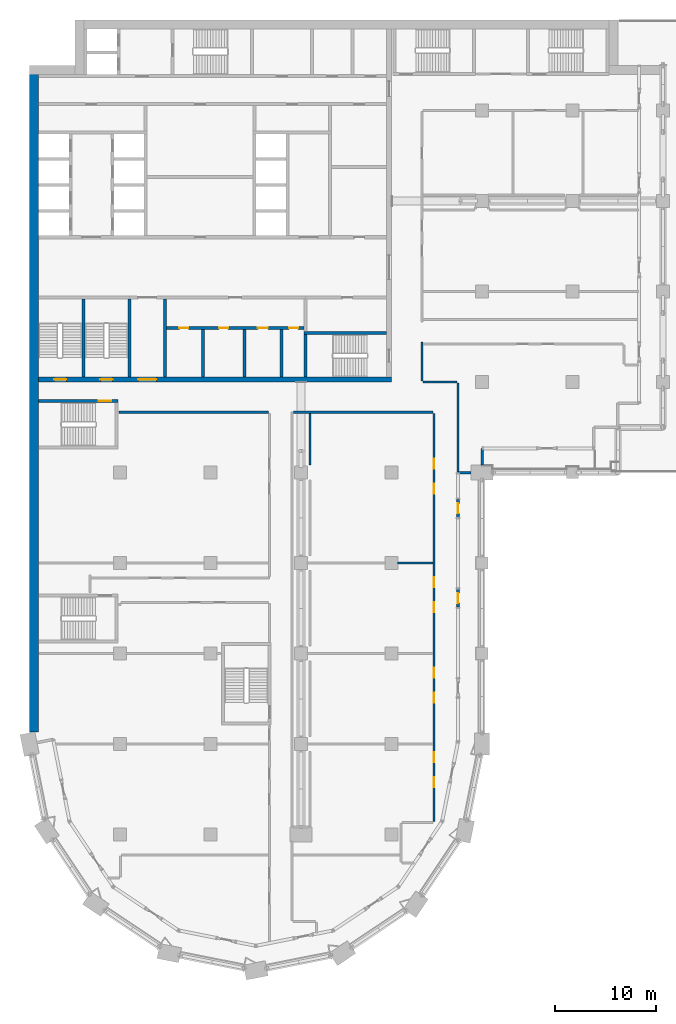
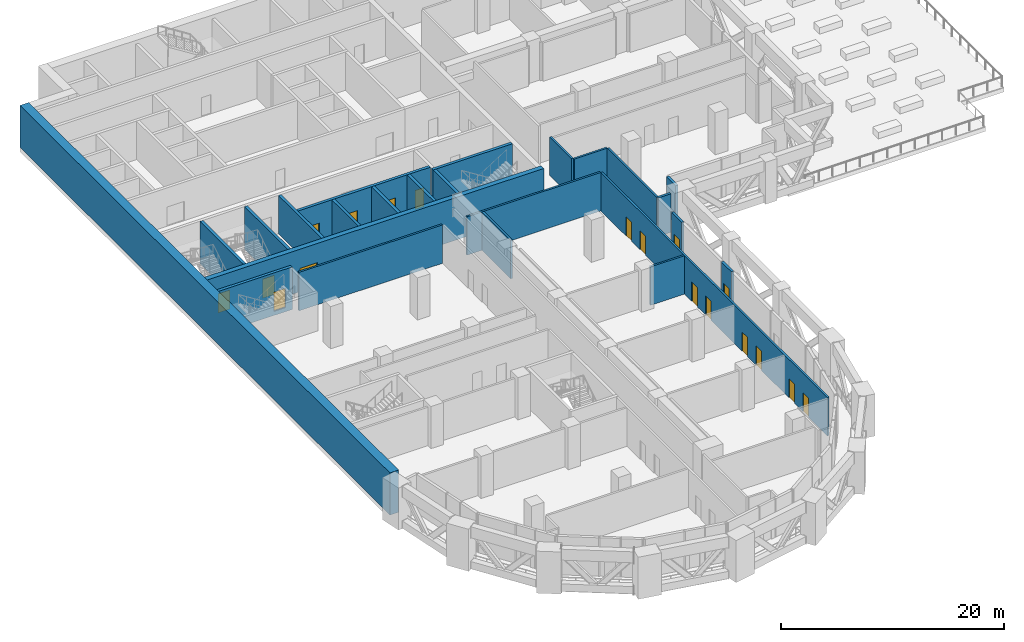
# One storey, part 9 of 22: 24 walls, 18 doors, 18 openings.
"""IFC4 building model written with IfcOpenShell, lengths in metres."""

import ifcopenshell
import ifcopenshell.guid

model = None  # the IFC model being written
_history = None  # IfcOwnerHistory: only IFC2X3 demands one
_inside = {}  # id of a spatial element -> (the spatial element, [elements in it])
_under = {}  # id of a project, library or spatial element -> (it, [spatial elements below it])
_declared = {}  # id of a project -> (the project, [libraries it declares])
_typed = {}  # id of a type object -> (the type object, [elements of that type])
_made_of = {}  # id of a material, layer set ... -> (it, [elements and type objects made of it])


def new_model(schema):
    """Start an empty IFC model of exactly this schema.

    Asked for "IFC4X3", IfcOpenShell would pick the latest addendum, in which some entities
    have other attributes; the version numbers below select the first issue.
    IFC2X3 requires an IfcOwnerHistory on every rooted entity: one is made here for all.
    """
    global model, _history
    if schema == "IFC4X3":
        model = ifcopenshell.file(schema_version=(4, 3, 0, 0))
    else:
        model = ifcopenshell.file(schema=schema)
    _inside.clear()
    _under.clear()
    _declared.clear()
    _typed.clear()
    _made_of.clear()
    _history = None
    if model.schema == "IFC2X3":
        org = make("IfcOrganization", Name="unknown")
        user = make(
            "IfcPersonAndOrganization",
            ThePerson=make("IfcPerson", FamilyName="unknown"),
            TheOrganization=org,
        )
        app = make(
            "IfcApplication",
            ApplicationDeveloper=org,
            Version="unknown",
            ApplicationFullName="unknown",
            ApplicationIdentifier="unknown",
        )
        _history = make(
            "IfcOwnerHistory",
            OwningUser=user,
            OwningApplication=app,
            ChangeAction="ADDED",
            CreationDate=0,
        )
    return model


def make(cls, **values):
    """One entity of the class cls with the attributes given. An attribute that is None is left unset."""
    return model.create_entity(
        cls, **{name: value for name, value in values.items() if value is not None}
    )


def rooted(cls, **values):
    """An entity with a GlobalId (a new one), such as an element, a storey or a relation."""
    return make(cls, GlobalId=ifcopenshell.guid.new(), OwnerHistory=_history, **values)


def si_unit(unit_type, name, prefix=None):
    """IfcSIUnit, for example si_unit("LENGTHUNIT", "METRE", prefix="MILLI")."""
    return make("IfcSIUnit", UnitType=unit_type, Prefix=prefix, Name=name)


def assignment(units):
    """IfcUnitAssignment: the units of a project."""
    return None if units is None else make("IfcUnitAssignment", Units=units)


def point(xyz):
    """IfcCartesianPoint."""
    return None if xyz is None else make("IfcCartesianPoint", Coordinates=xyz)


def direction(xyz):
    """IfcDirection."""
    return None if xyz is None else make("IfcDirection", DirectionRatios=xyz)


def frame(location, z_axis=None, x_axis=None):
    """IfcAxis2Placement3D, a coordinate frame: its origin and axes. An axis left out is left unset."""
    return make(
        "IfcAxis2Placement3D",
        Location=point(location),
        Axis=direction(z_axis),
        RefDirection=direction(x_axis),
    )


def frame_2d(location, x_axis=None):
    """IfcAxis2Placement2D, a coordinate frame in the plane: its origin and x axis."""
    return make(
        "IfcAxis2Placement2D", Location=point(location), RefDirection=direction(x_axis)
    )


def origin():
    """The frame at (0, 0, 0) with its axes left unset."""
    return frame((0.0, 0.0, 0.0))


def place(relative_to, where):
    """IfcLocalPlacement: puts the frame where relative to a parent placement (None: the world)."""
    return make(
        "IfcLocalPlacement", PlacementRelTo=relative_to, RelativePlacement=where
    )


def context(
    kind, dimensions, precision=None, world=None, true_north=None, identifier=None
):
    """IfcGeometricRepresentationContext, for example the 3D "Model" context."""
    return make(
        "IfcGeometricRepresentationContext",
        ContextIdentifier=identifier,
        ContextType=kind,
        CoordinateSpaceDimension=dimensions,
        Precision=precision,
        WorldCoordinateSystem=world,
        TrueNorth=true_north,
    )


def subcontext(parent, identifier, kind, view, scale=None):
    """IfcGeometricRepresentationSubContext, for example "Body" below "Model"."""
    return make(
        "IfcGeometricRepresentationSubContext",
        ContextIdentifier=identifier,
        ContextType=kind,
        ParentContext=parent,
        TargetScale=scale,
        TargetView=view,
    )


def project(units=None, contexts=None):
    """IfcProject with its units and contexts."""
    return rooted(
        "IfcProject",
        Name="project",
        RepresentationContexts=contexts,
        UnitsInContext=assignment(units),
    )


def spatial(cls, under=None, at=None, **own):
    """A site, building, storey or space (cls), placed at a placement, below another one or the project."""
    s = rooted(cls, ObjectPlacement=at, **own)
    if under is not None:
        _under.setdefault(under.id(), (under, []))[1].append(s)
    return s


def profile(cls, at=None, kind="AREA", **sizes):
    """A parametric profile (cls). Its sizes go by their IFC names, for example OverallWidth=200.0."""
    return make(cls, ProfileType=kind, Position=at, **sizes)


def rectangle(**sizes):
    """IfcRectangleProfileDef."""
    return profile("IfcRectangleProfileDef", **sizes)


def extrude(swept, where, along, depth):
    """IfcExtrudedAreaSolid: the profile swept, set in the frame where, extruded along a direction by depth."""
    return make(
        "IfcExtrudedAreaSolid",
        SweptArea=swept,
        Position=where,
        ExtrudedDirection=direction(along),
        Depth=depth,
    )


def shape(context_of_items, identifier, shape_type, items):
    """IfcShapeRepresentation: the items that make up one representation, for example the "Body"."""
    return make(
        "IfcShapeRepresentation",
        ContextOfItems=context_of_items,
        RepresentationIdentifier=identifier,
        RepresentationType=shape_type,
        Items=items,
    )


def material(Name=None, Category=None):
    """IfcMaterial."""
    return make("IfcMaterial", Name=Name, Category=Category)


def layer(
    of_material, thickness, ventilated=None, Name=None, Category=None, Priority=None
):
    """IfcMaterialLayer: one layer of a wall or slab, of a material (None: an air gap)."""
    return make(
        "IfcMaterialLayer",
        Material=of_material,
        LayerThickness=thickness,
        IsVentilated=ventilated,
        Name=Name,
        Category=Category,
        Priority=Priority,
    )


def layer_set(layers, Name=None):
    """IfcMaterialLayerSet."""
    return make("IfcMaterialLayerSet", MaterialLayers=layers, LayerSetName=Name)


def made_of(thing, what):
    """Note that an element or type object is made of a material, layer set ...; save() writes the relation."""
    if what is not None:
        _made_of.setdefault(what.id(), (what, []))[1].append(thing)
    return thing


def type_object(cls, material=None, **own):
    """A type object (cls), such as IfcWallType, which elements share."""
    return made_of(rooted(cls, **own), material)


def element(
    cls,
    number,
    at=None,
    inside=None,
    cuts=None,
    type_object=None,
    material=None,
    context=None,
    identifier="Body",
    shape_type=None,
    held_by="IfcProductDefinitionShape",
    body=None,
    shapes=None,
    **own,
):
    """One element of the class cls, such as IfcWall. Its Tag is "e" and its number.

    at: its placement. inside: the storey or other place that contains it. cuts: it is an
    opening in that element (IfcRelVoidsElement). A single representation is given by context,
    identifier, shape_type and body (its items); several are given by shapes. held_by: the class
    of the entity that holds the representations. save() writes the other relations.
    """
    e = rooted(cls, Tag="e%d" % number, ObjectPlacement=at, **own)
    if body is not None:
        shapes = [shape(context, identifier, shape_type, body)]
    if shapes is not None:
        e.Representation = make(held_by, Representations=shapes)
    if inside is not None:
        _inside.setdefault(inside.id(), (inside, []))[1].append(e)
    if cuts is not None:
        rooted(
            "IfcRelVoidsElement", RelatingBuildingElement=cuts, RelatedOpeningElement=e
        )
    if type_object is not None:
        _typed.setdefault(type_object.id(), (type_object, []))[1].append(e)
    return made_of(e, material)


def fill(opening, filler):
    """IfcRelFillsElement: the door or window that sits in an opening."""
    return rooted(
        "IfcRelFillsElement",
        RelatingOpeningElement=opening,
        RelatedBuildingElement=filler,
    )


def aggregate(whole, parts):
    """IfcRelAggregates: a whole, such as a stair, and the parts it consists of."""
    return rooted("IfcRelAggregates", RelatingObject=whole, RelatedObjects=parts)


def save(model, path):
    """Write the relations noted so far, then the file.

    IfcRelAggregates (storeys below a building ...), IfcRelContainedInSpatialStructure (elements
    in a storey), IfcRelDefinesByType, IfcRelAssociatesMaterial and IfcRelDeclares: one each for
    every whole, place, type object, material and project.
    """
    for whole, parts in _under.values():
        aggregate(whole, parts)
    for where, things in _inside.values():
        rooted(
            "IfcRelContainedInSpatialStructure",
            RelatedElements=things,
            RelatingStructure=where,
        )
    for kind, things in _typed.values():
        rooted("IfcRelDefinesByType", RelatedObjects=things, RelatingType=kind)
    for what, things in _made_of.values():
        rooted("IfcRelAssociatesMaterial", RelatedObjects=things, RelatingMaterial=what)
    for by, libraries in _declared.values():
        rooted("IfcRelDeclares", RelatingContext=by, RelatedDefinitions=libraries)
    model.write(path)


model = new_model("IFC4")

# Units and contexts
model_context = context("Model", 3, precision=1e-05, world=origin(), true_north=direction((0.0, 1.0)))
body_context = subcontext(model_context, "Body", "Model", "MODEL_VIEW")
ifc_project = project(units=[si_unit("LENGTHUNIT", "METRE"), si_unit("AREAUNIT", "SQUARE_METRE"), si_unit("VOLUMEUNIT", "CUBIC_METRE"), si_unit("PLANEANGLEUNIT", "RADIAN"), si_unit("MASSUNIT", "GRAM", prefix="KILO")], contexts=[model_context])

# Site, building, storey
site_placement = place(None, origin())
site = spatial("IfcSite", under=ifc_project, at=site_placement, CompositionType="ELEMENT")
building_placement = place(site_placement, origin())
building = spatial("IfcBuilding", under=site, at=building_placement, Name="Hunhe Ridgeline Campus", CompositionType="ELEMENT")
storey_placement = place(building_placement, frame((0.0, 0.0, 129.199951171875)))
storey = spatial("IfcBuildingStorey", under=building, at=storey_placement, Name="L32", CompositionType="ELEMENT", Elevation=129.199951171875)

# Wall, openings, doors
ifc_material_1 = material(Name="Masonry concrete blockwork", Category="masonry")
ifc_layer_1 = layer(ifc_material_1, 0.300048828125)
ifc_layer_set_1 = layer_set([ifc_layer_1], Name="Core room partition 300 concrete block")
wall_type_1 = type_object("IfcWallType", Name="Core room partition 300 concrete block", PredefinedType="PARTITIONING", material=ifc_layer_set_1)
wall_1_placement = place(storey_placement, frame((13.60009765625, 68.39990234375, 0.0), z_axis=(0.0, 0.0, 1.0), x_axis=(1.0, 0.0, 0.0)))
wall_1 = element("IfcWall", 1, at=wall_1_placement, inside=storey, type_object=wall_type_1, Name="L32 core partition 9", PredefinedType="PARTITIONING", context=body_context, shape_type="SweptSolid", body=[
    extrude(rectangle(XDim=13.699951171875, YDim=0.300048828125, at=frame_2d((6.85009765625, 0.0))), origin(), (0.0, 0.0, 1.0), 4.199951171875),
])
opening_1_placement = place(wall_1_placement, frame((1.300048828125, 0.0, 0.0)))
opening_1 = element("IfcOpeningElement", 2, at=opening_1_placement, cuts=wall_1, Name="Opening CD8", PredefinedType="OPENING", context=body_context, shape_type="SweptSolid", body=[
    extrude(rectangle(XDim=0.89990234375, YDim=2.10009765625, at=frame_2d((0.449951171875, 1.050048828125))), frame((0.0, 0.14990234375, 0.0), z_axis=(0.0, -1.0, 0.0), x_axis=(1.0, 0.0, 0.0)), (0.0, 0.0, 1.0), 0.300048828125),
])
opening_2_placement = place(wall_1_placement, frame((5.25, 0.0, 0.0)))
opening_2 = element("IfcOpeningElement", 3, at=opening_2_placement, cuts=wall_1, Name="Opening CD9", PredefinedType="OPENING", context=body_context, shape_type="SweptSolid", body=[
    extrude(rectangle(XDim=0.89990234375, YDim=2.10009765625, at=frame_2d((0.449951171875, 1.050048828125))), frame((0.0, 0.14990234375, 0.0), z_axis=(0.0, -1.0, 0.0), x_axis=(1.0, 0.0, 0.0)), (0.0, 0.0, 1.0), 0.300048828125),
])
opening_3_placement = place(wall_1_placement, frame((9.10009765625, 0.0, 0.0)))
opening_3 = element("IfcOpeningElement", 4, at=opening_3_placement, cuts=wall_1, Name="Opening CD10", PredefinedType="OPENING", context=body_context, shape_type="SweptSolid", body=[
    extrude(rectangle(XDim=1.0, YDim=2.10009765625, at=frame_2d((0.5, 1.050048828125))), frame((0.0, 0.14990234375, 0.0), z_axis=(0.0, -1.0, 0.0), x_axis=(1.0, 0.0, 0.0)), (0.0, 0.0, 1.0), 0.300048828125),
])
opening_4_placement = place(wall_1_placement, frame((12.199951171875, 0.0, 0.0)))
opening_4 = element("IfcOpeningElement", 5, at=opening_4_placement, cuts=wall_1, Name="Opening CD11", PredefinedType="OPENING", context=body_context, shape_type="SweptSolid", body=[
    extrude(rectangle(XDim=0.89990234375, YDim=2.10009765625, at=frame_2d((0.449951171875, 1.050048828125))), frame((0.0, 0.14990234375, 0.0), z_axis=(0.0, -1.0, 0.0), x_axis=(1.0, 0.0, 0.0)), (0.0, 0.0, 1.0), 0.300048828125),
])
ifc_material_2 = material(Name="Solid core timber door leaf", Category="wood")
door_type_1 = type_object("IfcDoorType", Name="Timber door 1000x2100", OperationType="SINGLE_SWING_LEFT", PredefinedType="DOOR", material=ifc_material_2)
door_1_placement = place(opening_3_placement, frame((1.0, 0.0, 0.0), z_axis=(0.0, 0.0, 1.0), x_axis=(-1.0, 0.0, 0.0)))
door_1 = element("IfcDoor", 6, at=door_1_placement, inside=storey, type_object=door_type_1, Name="L32 door WC3", OperationType="SINGLE_SWING_RIGHT", OverallHeight=2.10009765625, OverallWidth=1.0, PredefinedType="DOOR", context=body_context, shape_type="SweptSolid", body=[
    extrude(rectangle(XDim=1.0, YDim=2.10009765625, at=frame_2d((0.5, 1.050048828125))), frame((0.0, 0.02490234375, 0.0), z_axis=(0.0, -1.0, 0.0), x_axis=(1.0, 0.0, 0.0)), (0.0, 0.0, 1.0), 0.050048828125),
])
fill(opening_3, door_1)
door_type_2 = type_object("IfcDoorType", Name="Timber door 900x2100", OperationType="SINGLE_SWING_LEFT", PredefinedType="DOOR", material=ifc_material_2)
door_2_placement = place(opening_1_placement, frame((0.89990234375, 0.0, 0.0), z_axis=(0.0, 0.0, 1.0), x_axis=(-1.0, 0.0, 0.0)))
door_2 = element("IfcDoor", 7, at=door_2_placement, inside=storey, type_object=door_type_2, Name="L32 door WC1", OperationType="SINGLE_SWING_RIGHT", OverallHeight=2.10009765625, OverallWidth=0.89990234375, PredefinedType="DOOR", context=body_context, shape_type="SweptSolid", body=[
    extrude(rectangle(XDim=0.89990234375, YDim=2.10009765625, at=frame_2d((0.449951171875, 1.050048828125))), frame((0.0, 0.02490234375, 0.0), z_axis=(0.0, -1.0, 0.0), x_axis=(1.0, 0.0, 0.0)), (0.0, 0.0, 1.0), 0.050048828125),
])
fill(opening_1, door_2)
door_3_placement = place(opening_2_placement, frame((0.89990234375, 0.0, 0.0), z_axis=(0.0, 0.0, 1.0), x_axis=(-1.0, 0.0, 0.0)))
door_3 = element("IfcDoor", 8, at=door_3_placement, inside=storey, type_object=door_type_2, Name="L32 door WC2", OperationType="SINGLE_SWING_LEFT", OverallHeight=2.10009765625, OverallWidth=0.89990234375, PredefinedType="DOOR", context=body_context, shape_type="SweptSolid", body=[
    extrude(rectangle(XDim=0.89990234375, YDim=2.10009765625, at=frame_2d((0.449951171875, 1.050048828125))), frame((0.0, 0.02490234375, 0.0), z_axis=(0.0, -1.0, 0.0), x_axis=(1.0, 0.0, 0.0)), (0.0, 0.0, 1.0), 0.050048828125),
])
fill(opening_2, door_3)
door_4_placement = place(opening_4_placement, frame((0.89990234375, 0.0, 0.0), z_axis=(0.0, 0.0, 1.0), x_axis=(-1.0, 0.0, 0.0)))
door_4 = element("IfcDoor", 9, at=door_4_placement, inside=storey, type_object=door_type_2, Name="L32 door WC4", OperationType="SINGLE_SWING_LEFT", OverallHeight=2.10009765625, OverallWidth=0.89990234375, PredefinedType="DOOR", context=body_context, shape_type="SweptSolid", body=[
    extrude(rectangle(XDim=0.89990234375, YDim=2.10009765625, at=frame_2d((0.449951171875, 1.050048828125))), frame((0.0, 0.02490234375, 0.0), z_axis=(0.0, -1.0, 0.0), x_axis=(1.0, 0.0, 0.0)), (0.0, 0.0, 1.0), 0.050048828125),
])
fill(opening_4, door_4)

# Walls
wall_2_placement = place(storey_placement, frame((13.449951171875, 63.5, 0.0), z_axis=(0.0, 0.0, 1.0), x_axis=(0.0, 1.0, 0.0)))
element("IfcWall", 10, at=wall_2_placement, inside=storey, type_object=wall_type_1, Name="L32 core partition 45", PredefinedType="PARTITIONING", context=body_context, shape_type="SweptSolid", body=[
    extrude(rectangle(XDim=7.75, YDim=0.300048828125, at=frame_2d((3.875, 0.0))), origin(), (0.0, 0.0, 1.0), 4.199951171875),
])
for number, where, z_axis, x_axis, name in (
    (11, (17.25, 63.5, 0.0), (0.0, 0.0, 1.0), (0.0, 1.0, 0.0), "L32 core partition 47"),
    (12, (21.35009765625, 63.5, 0.0), (0.0, 0.0, 1.0), (0.0, 1.0, 0.0), "L32 core partition 49"),
    (13, (25.050048828125, 63.5, 0.0), (0.0, 0.0, 1.0), (0.0, 1.0, 0.0), "L32 core partition 54"),
):
    element("IfcWall", number, at=place(storey_placement, frame(where, z_axis=z_axis, x_axis=x_axis)), inside=storey, type_object=wall_type_1, Name=name, PredefinedType="PARTITIONING", context=body_context, shape_type="SweptSolid", body=[
        extrude(rectangle(XDim=4.75, YDim=0.300048828125, at=frame_2d((2.375, 0.0))), origin(), (0.0, 0.0, 1.0), 4.199951171875),
    ])

# Wall, openings, doors
ifc_material_3 = material(Name="Concrete C70", Category="concrete")
ifc_layer_2 = layer(ifc_material_3, 0.5)
ifc_layer_set_2 = layer_set([ifc_layer_2], Name="Core wall 500 reinforced concrete C70")
wall_type_2 = type_object("IfcWallType", Name="Core wall 500 reinforced concrete C70", PredefinedType="SOLIDWALL", material=ifc_layer_set_2)
wall_3_placement = place(storey_placement, frame((0.89990234375, 63.25, -0.449951171875), z_axis=(0.0, 0.0, 1.0), x_axis=(1.0, 0.0, 0.0)))
wall_3 = element("IfcWall", 14, at=wall_3_placement, inside=storey, type_object=wall_type_2, Name="L32 core wall 7", PredefinedType="SOLIDWALL", context=body_context, shape_type="SweptSolid", body=[
    extrude(rectangle(XDim=35.10009765625, YDim=0.5, at=frame_2d((17.550048828125, 0.0))), origin(), (0.0, 0.0, 1.0), 4.64990234375),
])
opening_5_placement = place(wall_3_placement, frame((9.89990234375, 0.0, 0.449951171875)))
opening_5 = element("IfcOpeningElement", 15, at=opening_5_placement, cuts=wall_3, Name="Opening CD6", PredefinedType="OPENING", context=body_context, shape_type="SweptSolid", body=[
    extrude(rectangle(XDim=1.800048828125, YDim=2.10009765625, at=frame_2d((0.89990234375, 1.050048828125))), frame((0.0, 0.25, 0.0), z_axis=(0.0, -1.0, 0.0), x_axis=(1.0, 0.0, 0.0)), (0.0, 0.0, 1.0), 0.5),
])
opening_6_placement = place(wall_3_placement, frame((1.550048828125, 0.0, 0.449951171875)))
opening_6 = element("IfcOpeningElement", 16, at=opening_6_placement, cuts=wall_3, Name="Opening CD13", PredefinedType="OPENING", context=body_context, shape_type="SweptSolid", body=[
    extrude(rectangle(XDim=1.199951171875, YDim=2.10009765625, at=frame_2d((0.60009765625, 1.050048828125))), frame((0.0, 0.25, 0.0), z_axis=(0.0, -1.0, 0.0), x_axis=(1.0, 0.0, 0.0)), (0.0, 0.0, 1.0), 0.5),
])
opening_7_placement = place(wall_3_placement, frame((6.14990234375, 0.0, 0.449951171875)))
opening_7 = element("IfcOpeningElement", 17, at=opening_7_placement, cuts=wall_3, Name="Opening CD14", PredefinedType="OPENING", context=body_context, shape_type="SweptSolid", body=[
    extrude(rectangle(XDim=1.199951171875, YDim=2.10009765625, at=frame_2d((0.60009765625, 1.050048828125))), frame((0.0, 0.25, 0.0), z_axis=(0.0, -1.0, 0.0), x_axis=(1.0, 0.0, 0.0)), (0.0, 0.0, 1.0), 0.5),
])
ifc_material_4 = material(Name="Anodised aluminium and glass", Category="aluminium")
door_type_3 = type_object("IfcDoorType", Name="Glazed double door 1800x2100", OperationType="DOUBLE_DOOR_SINGLE_SWING", PredefinedType="DOOR", material=ifc_material_4)
door_5_placement = place(opening_5_placement, frame((1.800048828125, 0.0, 0.0), z_axis=(0.0, 0.0, 1.0), x_axis=(-1.0, 0.0, 0.0)))
door_5 = element("IfcDoor", 18, at=door_5_placement, inside=storey, type_object=door_type_3, Name="L32 door VEST-FLOOR", OperationType="DOUBLE_DOOR_SINGLE_SWING", OverallHeight=2.10009765625, OverallWidth=1.800048828125, PredefinedType="DOOR", context=body_context, shape_type="SweptSolid", body=[
    extrude(rectangle(XDim=1.800048828125, YDim=2.10009765625, at=frame_2d((0.89990234375, 1.050048828125))), frame((0.0, 0.02490234375, 0.0), z_axis=(0.0, -1.0, 0.0), x_axis=(1.0, 0.0, 0.0)), (0.0, 0.0, 1.0), 0.050048828125),
])
fill(opening_5, door_5)
ifc_material_5 = material(Name="Hollow metal fire door leaf")
door_type_4 = type_object("IfcDoorType", Name="Stair door 1200x2100 FD60", OperationType="SINGLE_SWING_LEFT", PredefinedType="DOOR", material=ifc_material_5)
door_6_placement = place(opening_6_placement, frame((1.199951171875, 0.0, 0.0), z_axis=(0.0, 0.0, 1.0), x_axis=(-1.0, 0.0, 0.0)))
door_6 = element("IfcDoor", 19, at=door_6_placement, inside=storey, type_object=door_type_4, Name="L32 door S3", OperationType="SINGLE_SWING_RIGHT", OverallHeight=2.10009765625, OverallWidth=1.199951171875, PredefinedType="DOOR", context=body_context, shape_type="SweptSolid", body=[
    extrude(rectangle(XDim=1.199951171875, YDim=2.10009765625, at=frame_2d((0.60009765625, 1.050048828125))), frame((0.0, 0.02490234375, 0.0), z_axis=(0.0, -1.0, 0.0), x_axis=(1.0, 0.0, 0.0)), (0.0, 0.0, 1.0), 0.050048828125),
])
fill(opening_6, door_6)
door_7_placement = place(opening_7_placement, frame((1.199951171875, 0.0, 0.0), z_axis=(0.0, 0.0, 1.0), x_axis=(-1.0, 0.0, 0.0)))
door_7 = element("IfcDoor", 20, at=door_7_placement, inside=storey, type_object=door_type_4, Name="L32 door S4", OperationType="SINGLE_SWING_LEFT", OverallHeight=2.10009765625, OverallWidth=1.199951171875, PredefinedType="DOOR", context=body_context, shape_type="SweptSolid", body=[
    extrude(rectangle(XDim=1.199951171875, YDim=2.10009765625, at=frame_2d((0.60009765625, 1.050048828125))), frame((0.0, 0.02490234375, 0.0), z_axis=(0.0, -1.0, 0.0), x_axis=(1.0, 0.0, 0.0)), (0.0, 0.0, 1.0), 0.050048828125),
])
fill(opening_7, door_7)

# Walls
ifc_material_6 = material(Name="Concrete C30", Category="concrete")
ifc_layer_3 = layer(ifc_material_6, 0.25)
ifc_layer_set_3 = layer_set([ifc_layer_3], Name="Corner return wall 250 Concrete C30")
wall_type_3 = type_object("IfcWallType", Name="Corner return wall 250 Concrete C30", PredefinedType="SOLIDWALL", material=ifc_layer_set_3)
wall_4_placement = place(storey_placement, frame((42.59912109375, 54.00048828125, 0.0), z_axis=(0.0, 0.0, 1.0), x_axis=(0.999999982387, 0.000187687684, 0.0)))
element("IfcWall", 21, at=wall_4_placement, inside=storey, type_object=wall_type_3, Name="Corner return wall 2", PredefinedType="SOLIDWALL", context=body_context, shape_type="SweptSolid", body=[
    extrude(rectangle(XDim=1.30078125, YDim=0.25, at=frame_2d((0.650390625, 0.0))), origin(), (0.0, 0.0, 1.0), 4.199951171875),
])
wall_5_placement = place(storey_placement, frame((44.999267578125, 54.75, 0.0), z_axis=(0.0, 0.0, 1.0), x_axis=(0.000295770469, 0.99999995626, 0.0)))
element("IfcWall", 22, at=wall_5_placement, inside=storey, type_object=wall_type_3, Name="Corner return wall 3", PredefinedType="SOLIDWALL", context=body_context, shape_type="SweptSolid", body=[
    extrude(rectangle(XDim=1.65087890625, YDim=0.25, at=frame_2d((0.825439453125, 0.0))), origin(), (0.0, 0.0, 1.0), 4.199951171875),
])
ifc_material_7 = material(Name="Gypsum board partition")
ifc_layer_4 = layer(ifc_material_7, 0.199951171875)
ifc_layer_set_4 = layer_set([ifc_layer_4], Name="Corridor partition 200 gypsum board on steel studs")
wall_type_4 = type_object("IfcWallType", Name="Corridor partition 200 gypsum board on steel studs", PredefinedType="PARTITIONING", material=ifc_layer_set_4)
wall_6_placement = place(storey_placement, frame((36.60009765625, 45.0, 0.0), z_axis=(0.0, 0.0, 1.0), x_axis=(1.0, 0.0, 0.0)))
element("IfcWall", 23, at=wall_6_placement, inside=storey, type_object=wall_type_4, Name="F-L32-wall-024", PredefinedType="PARTITIONING", context=body_context, shape_type="SweptSolid", body=[
    extrude(rectangle(XDim=3.5, YDim=0.199951171875, at=frame_2d((1.75, 0.0))), origin(), (0.0, 0.0, 1.0), 4.199951171875),
])
wall_7_placement = place(storey_placement, frame((23.75, 60.0, 0.0), z_axis=(0.0, 0.0, 1.0), x_axis=(-1.0, 0.0, 0.0)))
element("IfcWall", 24, at=wall_7_placement, inside=storey, type_object=wall_type_4, Name="F-L32-wall-025", PredefinedType="PARTITIONING", context=body_context, shape_type="SweptSolid", body=[
    extrude(rectangle(XDim=14.845947265625, YDim=0.199951171875, at=frame_2d((7.4228515625, 0.0))), origin(), (0.0, 0.0, 1.0), 4.199951171875),
])
wall_8_placement = place(storey_placement, frame((40.10009765625, 60.0, 0.0), z_axis=(0.0, 0.0, 1.0), x_axis=(-1.0, 0.0, 0.0)))
element("IfcWall", 25, at=wall_8_placement, inside=storey, type_object=wall_type_4, Name="F-L32-wall-026", PredefinedType="PARTITIONING", context=body_context, shape_type="SweptSolid", body=[
    extrude(rectangle(XDim=13.8525390625, YDim=0.199951171875, at=frame_2d((6.92626953125, 0.0))), origin(), (0.0, 0.0, 1.0), 4.199951171875),
])
wall_9_placement = place(storey_placement, frame((39.10009765625, 63.0, 0.0), z_axis=(0.0, 0.0, 1.0), x_axis=(1.0, 0.0, 0.0)))
element("IfcWall", 26, at=wall_9_placement, inside=storey, type_object=wall_type_4, Name="F-L32-wall-027", PredefinedType="PARTITIONING", context=body_context, shape_type="SweptSolid", body=[
    extrude(rectangle(XDim=3.39990234375, YDim=0.199951171875, at=frame_2d((1.699951171875, 0.0))), origin(), (0.0, 0.0, 1.0), 4.199951171875),
])
wall_10_placement = place(storey_placement, frame((27.89990234375, 59.89990234375, 0.0), z_axis=(0.0, 0.0, 1.0), x_axis=(0.0, -1.0, 0.0)))
element("IfcWall", 27, at=wall_10_placement, inside=storey, type_object=wall_type_4, Name="F-L32-wall-056", PredefinedType="PARTITIONING", context=body_context, shape_type="SweptSolid", body=[
    extrude(rectangle(XDim=5.14990234375, YDim=0.199951171875, at=frame_2d((2.574951171875, 0.0))), origin(), (0.0, 0.0, 1.0), 4.199951171875),
])
wall_11_placement = place(storey_placement, frame((39.0, 66.986328125, 0.0), z_axis=(0.0, 0.0, 1.0), x_axis=(0.0, -1.0, 0.0)))
element("IfcWall", 28, at=wall_11_placement, inside=storey, type_object=wall_type_4, Name="F-L32-wall-059", PredefinedType="PARTITIONING", context=body_context, shape_type="SweptSolid", body=[
    extrude(rectangle(XDim=3.88623046875, YDim=0.199951171875, at=frame_2d((1.943115234375, 0.0))), origin(), (0.0, 0.0, 1.0), 4.199951171875),
])

# Wall, openings, doors
wall_12_placement = place(storey_placement, frame((40.199951171875, 19.322021484375, 0.0), z_axis=(0.0, 0.0, 1.0), x_axis=(0.0, 1.0, 0.0)))
wall_12 = element("IfcWall", 29, at=wall_12_placement, inside=storey, type_object=wall_type_4, Name="F-L32-wall-061", PredefinedType="PARTITIONING", context=body_context, shape_type="SweptSolid", body=[
    extrude(rectangle(XDim=40.577880859375, YDim=0.199951171875, at=frame_2d((20.2890625, 0.0))), origin(), (0.0, 0.0, 1.0), 4.199951171875),
])
opening_8_placement = place(wall_12_placement, frame((3.382568359375, 0.0, 0.0)))
opening_8 = element("IfcOpeningElement", 30, at=opening_8_placement, cuts=wall_12, Name="Opening RD1-004", PredefinedType="OPENING", context=body_context, shape_type="SweptSolid", body=[
    extrude(rectangle(XDim=1.0, YDim=2.10009765625, at=frame_2d((0.5, 1.050048828125))), frame((0.0, 0.10009765625, 0.0), z_axis=(0.0, -1.0, 0.0), x_axis=(1.0, 0.0, 0.0)), (0.0, 0.0, 1.0), 0.199951171875),
])
opening_9_placement = place(wall_12_placement, frame((5.882568359375, 0.0, 0.0)))
opening_9 = element("IfcOpeningElement", 31, at=opening_9_placement, cuts=wall_12, Name="Opening RD1-006", PredefinedType="OPENING", context=body_context, shape_type="SweptSolid", body=[
    extrude(rectangle(XDim=1.0, YDim=2.10009765625, at=frame_2d((0.5, 1.050048828125))), frame((0.0, 0.10009765625, 0.0), z_axis=(0.0, -1.0, 0.0), x_axis=(1.0, 0.0, 0.0)), (0.0, 0.0, 1.0), 0.199951171875),
])
opening_10_placement = place(wall_12_placement, frame((11.773681640625, 0.0, 0.0)))
opening_10 = element("IfcOpeningElement", 32, at=opening_10_placement, cuts=wall_12, Name="Opening RD1-008", PredefinedType="OPENING", context=body_context, shape_type="SweptSolid", body=[
    extrude(rectangle(XDim=1.0, YDim=2.10009765625, at=frame_2d((0.5, 1.050048828125))), frame((0.0, 0.10009765625, 0.0), z_axis=(0.0, -1.0, 0.0), x_axis=(1.0, 0.0, 0.0)), (0.0, 0.0, 1.0), 0.199951171875),
])
opening_11_placement = place(wall_12_placement, frame((14.273681640625, 0.0, 0.0)))
opening_11 = element("IfcOpeningElement", 33, at=opening_11_placement, cuts=wall_12, Name="Opening RD1-009", PredefinedType="OPENING", context=body_context, shape_type="SweptSolid", body=[
    extrude(rectangle(XDim=1.0, YDim=2.10009765625, at=frame_2d((0.5, 1.050048828125))), frame((0.0, 0.10009765625, 0.0), z_axis=(0.0, -1.0, 0.0), x_axis=(1.0, 0.0, 0.0)), (0.0, 0.0, 1.0), 0.199951171875),
])
opening_12_placement = place(wall_12_placement, frame((20.791015625, 0.0, 0.0)))
opening_12 = element("IfcOpeningElement", 34, at=opening_12_placement, cuts=wall_12, Name="Opening RD1-010", PredefinedType="OPENING", context=body_context, shape_type="SweptSolid", body=[
    extrude(rectangle(XDim=1.0, YDim=2.10009765625, at=frame_2d((0.5, 1.050048828125))), frame((0.0, 0.10009765625, 0.0), z_axis=(0.0, -1.0, 0.0), x_axis=(1.0, 0.0, 0.0)), (0.0, 0.0, 1.0), 0.199951171875),
])
opening_13_placement = place(wall_12_placement, frame((23.291015625, 0.0, 0.0)))
opening_13 = element("IfcOpeningElement", 35, at=opening_13_placement, cuts=wall_12, Name="Opening RD1-013", PredefinedType="OPENING", context=body_context, shape_type="SweptSolid", body=[
    extrude(rectangle(XDim=1.0, YDim=2.10009765625, at=frame_2d((0.5, 1.050048828125))), frame((0.0, 0.10009765625, 0.0), z_axis=(0.0, -1.0, 0.0), x_axis=(1.0, 0.0, 0.0)), (0.0, 0.0, 1.0), 0.199951171875),
])
opening_14_placement = place(wall_12_placement, frame((32.563720703125, 0.0, 0.0)))
opening_14 = element("IfcOpeningElement", 36, at=opening_14_placement, cuts=wall_12, Name="Opening RD1-017", PredefinedType="OPENING", context=body_context, shape_type="SweptSolid", body=[
    extrude(rectangle(XDim=1.0, YDim=2.10009765625, at=frame_2d((0.5, 1.050048828125))), frame((0.0, 0.10009765625, 0.0), z_axis=(0.0, -1.0, 0.0), x_axis=(1.0, 0.0, 0.0)), (0.0, 0.0, 1.0), 0.199951171875),
])
opening_15_placement = place(wall_12_placement, frame((35.063720703125, 0.0, 0.0)))
opening_15 = element("IfcOpeningElement", 37, at=opening_15_placement, cuts=wall_12, Name="Opening RD1-019", PredefinedType="OPENING", context=body_context, shape_type="SweptSolid", body=[
    extrude(rectangle(XDim=1.0, YDim=2.10009765625, at=frame_2d((0.5, 1.050048828125))), frame((0.0, 0.10009765625, 0.0), z_axis=(0.0, -1.0, 0.0), x_axis=(1.0, 0.0, 0.0)), (0.0, 0.0, 1.0), 0.199951171875),
])
ifc_material_8 = material(Name="Timber door leaf", Category="wood")
door_type_5 = type_object("IfcDoorType", Name="Single fire door 1000x2100 timber FD60", OperationType="NOTDEFINED", PredefinedType="DOOR", material=ifc_material_8)
door_8_placement = place(opening_8_placement, frame((1.0, 0.0, 0.0), z_axis=(0.0, 0.0, 1.0), x_axis=(-1.0, 0.0, 0.0)))
door_8 = element("IfcDoor", 38, at=door_8_placement, inside=storey, type_object=door_type_5, Name="F-L32-door-004", OperationType="SINGLE_SWING_RIGHT", OverallHeight=2.10009765625, OverallWidth=1.0, PredefinedType="DOOR", context=body_context, shape_type="SweptSolid", body=[
    extrude(rectangle(XDim=1.0, YDim=2.10009765625, at=frame_2d((0.5, 1.050048828125))), frame((0.0, 0.02490234375, 0.0), z_axis=(0.0, -1.0, 0.0), x_axis=(1.0, 0.0, 0.0)), (0.0, 0.0, 1.0), 0.050048828125),
])
fill(opening_8, door_8)
door_9_placement = place(opening_9_placement, frame((1.0, 0.0, 0.0), z_axis=(0.0, 0.0, 1.0), x_axis=(-1.0, 0.0, 0.0)))
door_9 = element("IfcDoor", 39, at=door_9_placement, inside=storey, type_object=door_type_5, Name="F-L32-door-006", OperationType="SINGLE_SWING_LEFT", OverallHeight=2.10009765625, OverallWidth=1.0, PredefinedType="DOOR", context=body_context, shape_type="SweptSolid", body=[
    extrude(rectangle(XDim=1.0, YDim=2.10009765625, at=frame_2d((0.5, 1.050048828125))), frame((0.0, 0.02490234375, 0.0), z_axis=(0.0, -1.0, 0.0), x_axis=(1.0, 0.0, 0.0)), (0.0, 0.0, 1.0), 0.050048828125),
])
fill(opening_9, door_9)
door_10_placement = place(opening_10_placement, frame((1.0, 0.0, 0.0), z_axis=(0.0, 0.0, 1.0), x_axis=(-1.0, 0.0, 0.0)))
door_10 = element("IfcDoor", 40, at=door_10_placement, inside=storey, type_object=door_type_5, Name="F-L32-door-008", OperationType="SINGLE_SWING_LEFT", OverallHeight=2.10009765625, OverallWidth=1.0, PredefinedType="DOOR", context=body_context, shape_type="SweptSolid", body=[
    extrude(rectangle(XDim=1.0, YDim=2.10009765625, at=frame_2d((0.5, 1.050048828125))), frame((0.0, 0.02490234375, 0.0), z_axis=(0.0, -1.0, 0.0), x_axis=(1.0, 0.0, 0.0)), (0.0, 0.0, 1.0), 0.050048828125),
])
fill(opening_10, door_10)
door_11_placement = place(opening_11_placement, frame((1.0, 0.0, 0.0), z_axis=(0.0, 0.0, 1.0), x_axis=(-1.0, 0.0, 0.0)))
door_11 = element("IfcDoor", 41, at=door_11_placement, inside=storey, type_object=door_type_5, Name="F-L32-door-009", OperationType="SINGLE_SWING_LEFT", OverallHeight=2.10009765625, OverallWidth=1.0, PredefinedType="DOOR", context=body_context, shape_type="SweptSolid", body=[
    extrude(rectangle(XDim=1.0, YDim=2.10009765625, at=frame_2d((0.5, 1.050048828125))), frame((0.0, 0.02490234375, 0.0), z_axis=(0.0, -1.0, 0.0), x_axis=(1.0, 0.0, 0.0)), (0.0, 0.0, 1.0), 0.050048828125),
])
fill(opening_11, door_11)
door_12_placement = place(opening_12_placement, frame((1.0, 0.0, 0.0), z_axis=(0.0, 0.0, 1.0), x_axis=(-1.0, 0.0, 0.0)))
door_12 = element("IfcDoor", 42, at=door_12_placement, inside=storey, type_object=door_type_5, Name="F-L32-door-010", OperationType="SINGLE_SWING_LEFT", OverallHeight=2.10009765625, OverallWidth=1.0, PredefinedType="DOOR", context=body_context, shape_type="SweptSolid", body=[
    extrude(rectangle(XDim=1.0, YDim=2.10009765625, at=frame_2d((0.5, 1.050048828125))), frame((0.0, 0.02490234375, 0.0), z_axis=(0.0, -1.0, 0.0), x_axis=(1.0, 0.0, 0.0)), (0.0, 0.0, 1.0), 0.050048828125),
])
fill(opening_12, door_12)
door_13_placement = place(opening_13_placement, frame((1.0, 0.0, 0.0), z_axis=(0.0, 0.0, 1.0), x_axis=(-1.0, 0.0, 0.0)))
door_13 = element("IfcDoor", 43, at=door_13_placement, inside=storey, type_object=door_type_5, Name="F-L32-door-013", OperationType="SINGLE_SWING_LEFT", OverallHeight=2.10009765625, OverallWidth=1.0, PredefinedType="DOOR", context=body_context, shape_type="SweptSolid", body=[
    extrude(rectangle(XDim=1.0, YDim=2.10009765625, at=frame_2d((0.5, 1.050048828125))), frame((0.0, 0.02490234375, 0.0), z_axis=(0.0, -1.0, 0.0), x_axis=(1.0, 0.0, 0.0)), (0.0, 0.0, 1.0), 0.050048828125),
])
fill(opening_13, door_13)
door_14_placement = place(opening_14_placement, frame((1.0, 0.0, 0.0), z_axis=(0.0, 0.0, 1.0), x_axis=(-1.0, 0.0, 0.0)))
door_14 = element("IfcDoor", 44, at=door_14_placement, inside=storey, type_object=door_type_5, Name="F-L32-door-017", OperationType="SINGLE_SWING_RIGHT", OverallHeight=2.10009765625, OverallWidth=1.0, PredefinedType="DOOR", context=body_context, shape_type="SweptSolid", body=[
    extrude(rectangle(XDim=1.0, YDim=2.10009765625, at=frame_2d((0.5, 1.050048828125))), frame((0.0, 0.02490234375, 0.0), z_axis=(0.0, -1.0, 0.0), x_axis=(1.0, 0.0, 0.0)), (0.0, 0.0, 1.0), 0.050048828125),
])
fill(opening_14, door_14)
door_15_placement = place(opening_15_placement, frame((1.0, 0.0, 0.0), z_axis=(0.0, 0.0, 1.0), x_axis=(-1.0, 0.0, 0.0)))
door_15 = element("IfcDoor", 45, at=door_15_placement, inside=storey, type_object=door_type_5, Name="F-L32-door-019", OperationType="SINGLE_SWING_LEFT", OverallHeight=2.10009765625, OverallWidth=1.0, PredefinedType="DOOR", context=body_context, shape_type="SweptSolid", body=[
    extrude(rectangle(XDim=1.0, YDim=2.10009765625, at=frame_2d((0.5, 1.050048828125))), frame((0.0, 0.02490234375, 0.0), z_axis=(0.0, -1.0, 0.0), x_axis=(1.0, 0.0, 0.0)), (0.0, 0.0, 1.0), 0.050048828125),
])
fill(opening_15, door_15)

# Wall
wall_13_placement = place(storey_placement, frame((42.60009765625, 62.89990234375, 0.0), z_axis=(0.0, 0.0, 1.0), x_axis=(0.0, -1.0, 0.0)))
element("IfcWall", 46, at=wall_13_placement, inside=storey, type_object=wall_type_4, Name="F-L32-wall-062", PredefinedType="PARTITIONING", context=body_context, shape_type="SweptSolid", body=[
    extrude(rectangle(XDim=8.845458984375, YDim=0.199951171875, at=frame_2d((4.4228515625, 0.0))), origin(), (0.0, 0.0, 1.0), 4.199951171875),
])

# Wall, opening, door
ifc_layer_5 = layer(ifc_material_6, 0.25)
ifc_layer_set_5 = layer_set([ifc_layer_5], Name="Loggia door pier wall 250 Concrete C30")
wall_type_5 = type_object("IfcWallType", Name="Loggia door pier wall 250 Concrete C30", PredefinedType="SOLIDWALL", material=ifc_layer_set_5)
wall_14_placement = place(storey_placement, frame((42.59912109375, 40.618408203125, 0.0), z_axis=(0.0, 0.0, 1.0), x_axis=(0.0, 1.0, 0.0)))
wall_14 = element("IfcWall", 47, at=wall_14_placement, inside=storey, type_object=wall_type_5, Name="Loggia door pier 10", PredefinedType="SOLIDWALL", context=body_context, shape_type="SweptSolid", body=[
    extrude(rectangle(XDim=1.800048828125, YDim=0.25, at=frame_2d((0.89990234375, 0.0))), origin(), (0.0, 0.0, 1.0), 4.199951171875),
])
opening_16_placement = place(wall_14_placement, frame((0.39990234375, 0.0, 0.0)))
opening_16 = element("IfcOpeningElement", 48, at=opening_16_placement, cuts=wall_14, Name="Opening BR310", PredefinedType="OPENING", context=body_context, shape_type="SweptSolid", body=[
    extrude(rectangle(XDim=1.0, YDim=2.10009765625, at=frame_2d((0.5, 1.050048828125))), frame((0.0, 0.125, 0.0), z_axis=(0.0, -1.0, 0.0), x_axis=(1.0, 0.0, 0.0)), (0.0, 0.0, 1.0), 0.25),
])
ifc_material_9 = material(Name="Aluminium 6063", Category="aluminium")
door_type_6 = type_object("IfcDoorType", Name="Loggia glazed door 1000x2100", OperationType="NOTDEFINED", PredefinedType="DOOR", material=ifc_material_9)
door_16_placement = place(opening_16_placement, frame((1.0, 0.0, 0.0), z_axis=(0.0, 0.0, 1.0), x_axis=(-1.0, 0.0, 0.0)))
door_16 = element("IfcDoor", 49, at=door_16_placement, inside=storey, type_object=door_type_6, Name="Loggia door BR310", OperationType="SINGLE_SWING_LEFT", OverallHeight=2.10009765625, OverallWidth=1.0, PredefinedType="DOOR", context=body_context, shape_type="SweptSolid", body=[
    extrude(rectangle(XDim=1.0, YDim=2.10009765625, at=frame_2d((0.5, 1.050048828125))), frame((0.0, 0.02490234375, 0.0), z_axis=(0.0, -1.0, 0.0), x_axis=(1.0, 0.0, 0.0)), (0.0, 0.0, 1.0), 0.050048828125),
])
fill(opening_16, door_16)

wall_15_placement = place(storey_placement, frame((42.59912109375, 49.539794921875, 0.0), z_axis=(0.0, 0.0, 1.0), x_axis=(0.0, 1.0, 0.0)))
wall_15 = element("IfcWall", 50, at=wall_15_placement, inside=storey, type_object=wall_type_5, Name="Loggia door pier 11", PredefinedType="SOLIDWALL", context=body_context, shape_type="SweptSolid", body=[
    extrude(rectangle(XDim=1.800048828125, YDim=0.25, at=frame_2d((0.89990234375, 0.0))), origin(), (0.0, 0.0, 1.0), 4.199951171875),
])
opening_17_placement = place(wall_15_placement, frame((0.39990234375, 0.0, 0.0)))
opening_17 = element("IfcOpeningElement", 51, at=opening_17_placement, cuts=wall_15, Name="Opening BR311", PredefinedType="OPENING", context=body_context, shape_type="SweptSolid", body=[
    extrude(rectangle(XDim=1.0, YDim=2.10009765625, at=frame_2d((0.5, 1.050048828125))), frame((0.0, 0.125, 0.0), z_axis=(0.0, -1.0, 0.0), x_axis=(1.0, 0.0, 0.0)), (0.0, 0.0, 1.0), 0.25),
])
door_17_placement = place(opening_17_placement, frame((1.0, 0.0, 0.0), z_axis=(0.0, 0.0, 1.0), x_axis=(-1.0, 0.0, 0.0)))
door_17 = element("IfcDoor", 52, at=door_17_placement, inside=storey, type_object=door_type_6, Name="Loggia door BR311", OperationType="SINGLE_SWING_RIGHT", OverallHeight=2.10009765625, OverallWidth=1.0, PredefinedType="DOOR", context=body_context, shape_type="SweptSolid", body=[
    extrude(rectangle(XDim=1.0, YDim=2.10009765625, at=frame_2d((0.5, 1.050048828125))), frame((0.0, 0.02490234375, 0.0), z_axis=(0.0, -1.0, 0.0), x_axis=(1.0, 0.0, 0.0)), (0.0, 0.0, 1.0), 0.050048828125),
])
fill(opening_17, door_17)

# Wall
ifc_layer_6 = layer(ifc_material_3, 0.89990234375)
ifc_layer_set_6 = layer_set([ifc_layer_6], Name="Spine wall 900 Concrete C70")
wall_type_6 = type_object("IfcWallType", Name="Spine wall 900 Concrete C70", PredefinedType="SHEAR", material=ifc_layer_set_6)
wall_16_placement = place(storey_placement, frame((0.449951171875, 94.5, 0.0), z_axis=(0.0, 0.0, 1.0), x_axis=(0.0, -1.0, 0.0)))
element("IfcWall", 53, at=wall_16_placement, inside=storey, type_object=wall_type_6, Name="Spine wall SW2-1 L32", PredefinedType="SHEAR", context=body_context, shape_type="SweptSolid", body=[
    extrude(rectangle(XDim=66.288818359375, YDim=0.89990234375, at=frame_2d((33.14453125, 0.0))), origin(), (0.0, 0.0, 1.0), 4.60009765625),
])

# Wall, opening, door
ifc_layer_7 = layer(ifc_material_3, 0.300048828125)
ifc_layer_set_7 = layer_set([ifc_layer_7], Name="Stair wall 300 reinforced concrete C70")
wall_type_7 = type_object("IfcWallType", Name="Stair wall 300 reinforced concrete C70", PredefinedType="SOLIDWALL", material=ifc_layer_set_7)
wall_17_placement = place(storey_placement, frame((0.89990234375, 61.10009765625, -0.449951171875), z_axis=(0.0, 0.0, 1.0), x_axis=(1.0, 0.0, 0.0)))
wall_17 = element("IfcWall", 54, at=wall_17_placement, inside=storey, type_object=wall_type_7, Name="L32 core wall 6", PredefinedType="SOLIDWALL", context=body_context, shape_type="SweptSolid", body=[
    extrude(rectangle(XDim=7.900146484375, YDim=0.300048828125, at=frame_2d((3.9501953125, 0.0))), origin(), (0.0, 0.0, 1.0), 4.64990234375),
])
opening_18_placement = place(wall_17_placement, frame((6.0, 0.0, 0.449951171875)))
opening_18 = element("IfcOpeningElement", 55, at=opening_18_placement, cuts=wall_17, Name="Opening CD22", PredefinedType="OPENING", context=body_context, shape_type="SweptSolid", body=[
    extrude(rectangle(XDim=1.199951171875, YDim=2.10009765625, at=frame_2d((0.60009765625, 1.050048828125))), frame((0.0, 0.14990234375, 0.0), z_axis=(0.0, -1.0, 0.0), x_axis=(1.0, 0.0, 0.0)), (0.0, 0.0, 1.0), 0.300048828125),
])
door_18_placement = place(opening_18_placement, origin())
door_18 = element("IfcDoor", 56, at=door_18_placement, inside=storey, type_object=door_type_4, Name="L32 door W2", OperationType="SINGLE_SWING_LEFT", OverallHeight=2.10009765625, OverallWidth=1.199951171875, PredefinedType="DOOR", context=body_context, shape_type="SweptSolid", body=[
    extrude(rectangle(XDim=1.199951171875, YDim=2.10009765625, at=frame_2d((0.60009765625, 1.050048828125))), frame((0.0, 0.02490234375, 0.0), z_axis=(0.0, -1.0, 0.0), x_axis=(1.0, 0.0, 0.0)), (0.0, 0.0, 1.0), 0.050048828125),
])
fill(opening_18, door_18)

# Walls
wall_18_placement = place(storey_placement, frame((27.300048828125, 67.89990234375, -0.449951171875), z_axis=(0.0, 0.0, 1.0), x_axis=(1.0, 0.0, 0.0)))
element("IfcWall", 57, at=wall_18_placement, inside=storey, type_object=wall_type_7, Name="L32 core wall 8", PredefinedType="SOLIDWALL", context=body_context, shape_type="SweptSolid", body=[
    extrude(rectangle(XDim=8.199951171875, YDim=0.300048828125, at=frame_2d((4.10009765625, 0.0))), origin(), (0.0, 0.0, 1.0), 4.64990234375),
])
for number, where, z_axis, x_axis, name in (
    (58, (5.35009765625, 63.5, -0.449951171875), (0.0, 0.0, 1.0), (0.0, 1.0, 0.0), "L32 core wall 36"),
    (59, (9.949951171875, 63.5, -0.449951171875), (0.0, 0.0, 1.0), (0.0, 1.0, 0.0), "L32 core wall 42"),
):
    element("IfcWall", number, at=place(storey_placement, frame(where, z_axis=z_axis, x_axis=x_axis)), inside=storey, type_object=wall_type_7, Name=name, PredefinedType="SOLIDWALL", context=body_context, shape_type="SweptSolid", body=[
        extrude(rectangle(XDim=7.75, YDim=0.300048828125, at=frame_2d((3.875, 0.0))), origin(), (0.0, 0.0, 1.0), 4.64990234375),
    ])
wall_19_placement = place(storey_placement, frame((27.449951171875, 63.5, -0.449951171875), z_axis=(0.0, 0.0, 1.0), x_axis=(0.0, 1.0, 0.0)))
element("IfcWall", 60, at=wall_19_placement, inside=storey, type_object=wall_type_7, Name="L32 core wall 56", PredefinedType="SOLIDWALL", context=body_context, shape_type="SweptSolid", body=[
    extrude(rectangle(XDim=4.25, YDim=0.300048828125, at=frame_2d((2.125, 0.0))), origin(), (0.0, 0.0, 1.0), 4.64990234375),
])

save(model, "model.ifc")
